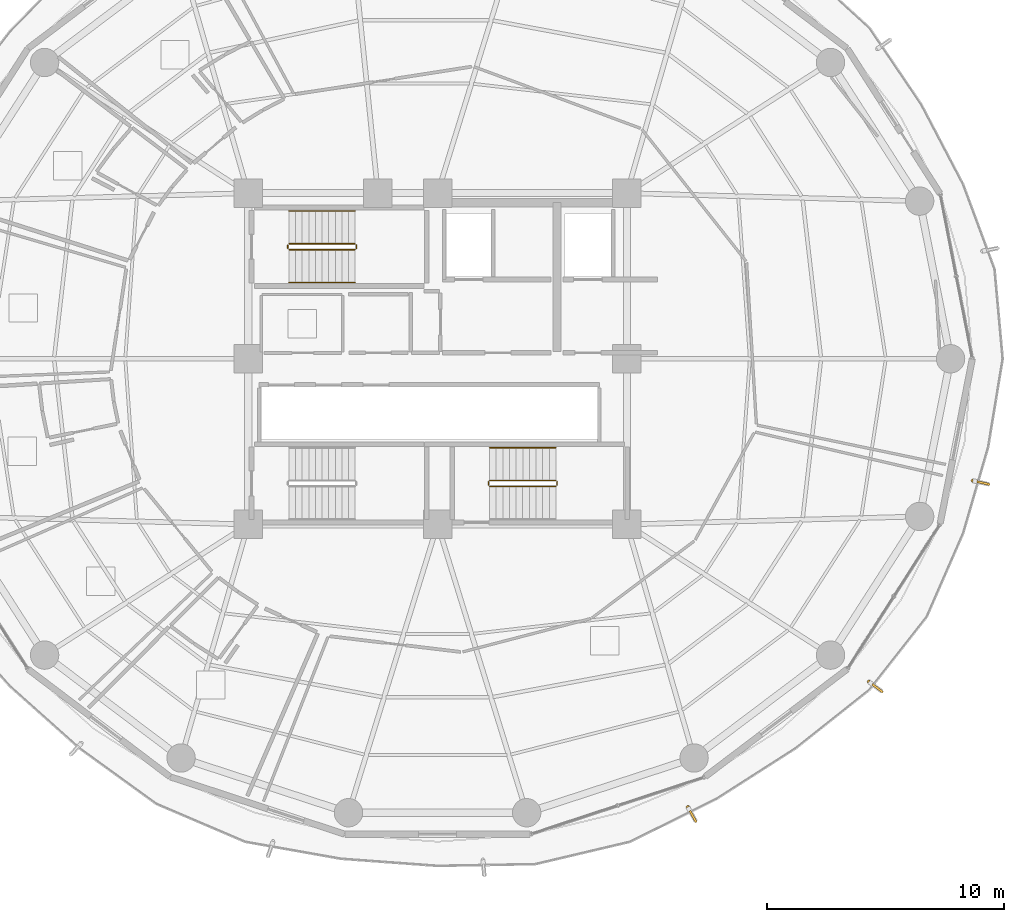
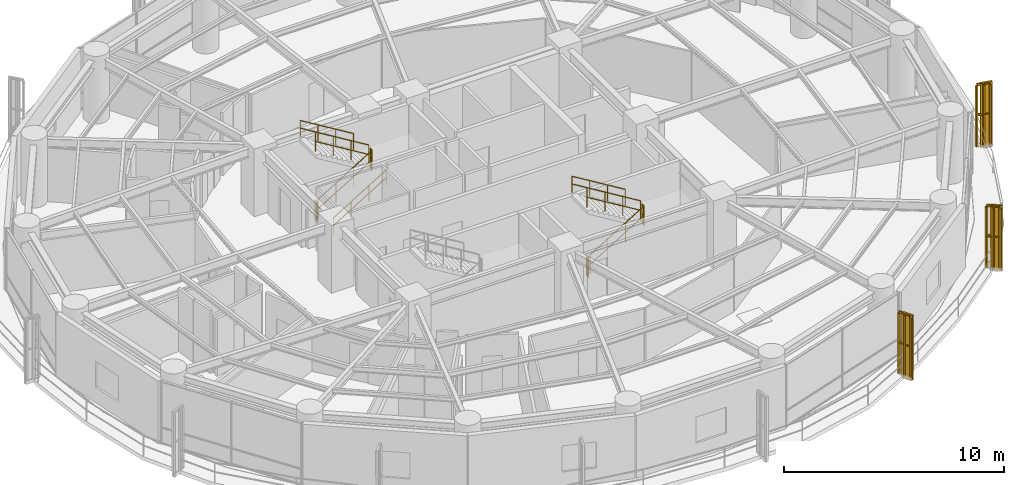
# One storey, part 26 of 27: 14 railings, 3 shading devices.
"""IFC4 building model written with IfcOpenShell, lengths in metres."""

from ifc_helpers import new_model, si_unit, direction, frame, origin, origin_2d, place, context, subcontext, project, spatial, polyline, rectangle, outline, extrude, source, transform, mapped, material, type_object, element, save


model = new_model("IFC4")

# Units and contexts
model_context = context("Model", 3, precision=1e-05, world=origin(), true_north=direction((0.0, 1.0)))
body_context = subcontext(model_context, "Body", "Model", "MODEL_VIEW")
ifc_project = project(units=[si_unit("LENGTHUNIT", "METRE"), si_unit("AREAUNIT", "SQUARE_METRE"), si_unit("VOLUMEUNIT", "CUBIC_METRE"), si_unit("PLANEANGLEUNIT", "RADIAN"), si_unit("MASSUNIT", "GRAM", prefix="KILO")], contexts=[model_context])

# Site, building, storey
site_placement = place(None, origin())
site = spatial("IfcSite", under=ifc_project, at=site_placement, CompositionType="ELEMENT")
building_placement = place(site_placement, origin())
building = spatial("IfcBuilding", under=site, at=building_placement, Name="Kelanora Arch Commons", CompositionType="ELEMENT")
storey_placement = place(building_placement, frame((0.0, 0.0, 146.85009765625)))
storey = spatial("IfcBuildingStorey", under=building, at=storey_placement, Name="L37", CompositionType="ELEMENT", Elevation=146.85009765625)

# Railings
ifc_material_1 = material(Name="Anodised bronze vertical shading fin rib assembly")
railing_type_1 = type_object("IfcRailingType", Name="RAIL-FIN-BRZ", PredefinedType="BALUSTRADE", material=ifc_material_1)
railing_1_placement = place(storey_placement, frame((84.578369140625, 39.05224609375, -0.02001953125)))
element("IfcRailing", 1, at=railing_1_placement, inside=storey, type_object=railing_type_1, Name="Sweeping Bronze Vertical Fin Blade L37-12", PredefinedType="BALUSTRADE", context=body_context, shape_type="SweptSolid", body=[
    extrude(outline(polyline([(0.06982421875, 0.0), (0.034912109375, 0.060546875), (-0.034912109375, 0.060546875), (-0.06982421875, 0.0), (-0.034912109375, -0.060546875), (0.034912109375, -0.060546875), (0.06982421875, 0.0)])), frame((0.0, 0.0, 3.419921875), z_axis=(0.487386785196, -0.873186189547, 0.0), x_axis=(0.873186189547, 0.487386785196, 0.0)), (0.0, 0.0, 1.0), 0.629638671875),
    extrude(outline(polyline([(0.06982421875, 0.0), (0.034912109375, 0.060546875), (-0.034912109375, 0.060546875), (-0.06982421875, 0.0), (-0.034912109375, -0.060546875), (0.034912109375, -0.060546875), (0.06982421875, 0.0)])), frame((0.0, 0.0, 1.7451171875), z_axis=(0.487386785196, -0.873186189547, 0.0), x_axis=(0.873186189547, 0.487386785196, 0.0)), (0.0, 0.0, 1.0), 0.629638671875),
    extrude(outline(polyline([(0.080078125, 0.0), (0.0400390625, 0.0693359375), (-0.0400390625, 0.0693359375), (-0.080078125, 0.0), (-0.0400390625, -0.0693359375), (0.0400390625, -0.0693359375), (0.080078125, 0.0)])), origin(), (0.0, 0.0, 1.0), 3.35009765625),
    extrude(outline(polyline([(0.080078125, 0.0), (0.0400390625, 0.0693359375), (-0.0400390625, 0.0693359375), (-0.080078125, 0.0), (-0.0400390625, -0.0693359375), (0.0400390625, -0.0693359375), (0.080078125, 0.0)])), frame((0.1533203125, -0.27490234375, 0.0)), (0.0, 0.0, 1.0), 3.35009765625),
    extrude(outline(polyline([(0.080078125, 0.0), (0.0400390625, 0.0693359375), (-0.0400390625, 0.0693359375), (-0.080078125, 0.0), (-0.0400390625, -0.0693359375), (0.0400390625, -0.0693359375), (0.080078125, 0.0)])), frame((0.306884765625, -0.5498046875, 0.0)), (0.0, 0.0, 1.0), 3.35009765625),
])
railing_2_placement = place(storey_placement, frame((92.22998046875, 44.349365234375, -0.02001953125)))
element("IfcRailing", 2, at=railing_2_placement, inside=storey, type_object=railing_type_1, Name="Sweeping Bronze Vertical Fin Blade L37-13", PredefinedType="BALUSTRADE", context=body_context, shape_type="SweptSolid", body=[
    extrude(outline(polyline([(0.06982421875, 0.0), (0.034912109375, 0.060546875), (-0.034912109375, 0.060546875), (-0.06982421875, 0.0), (-0.034912109375, -0.060546875), (0.034912109375, -0.060546875), (0.06982421875, 0.0)])), frame((0.0, 0.0, 3.419921875), z_axis=(0.800372112119, -0.599503529717, 0.0), x_axis=(0.599503529717, 0.800372112119, 0.0)), (0.0, 0.0, 1.0), 0.629638671875),
    extrude(outline(polyline([(0.06982421875, 0.0), (0.034912109375, 0.060546875), (-0.034912109375, 0.060546875), (-0.06982421875, 0.0), (-0.034912109375, -0.060546875), (0.034912109375, -0.060546875), (0.06982421875, 0.0)])), frame((0.0, 0.0, 1.7451171875), z_axis=(0.800372112119, -0.599503529717, 0.0), x_axis=(0.599503529717, 0.800372112119, 0.0)), (0.0, 0.0, 1.0), 0.629638671875),
    extrude(outline(polyline([(0.080078125, 0.0), (0.0400390625, 0.0693359375), (-0.0400390625, 0.0693359375), (-0.080078125, 0.0), (-0.0400390625, -0.0693359375), (0.0400390625, -0.0693359375), (0.080078125, 0.0)])), origin(), (0.0, 0.0, 1.0), 3.35009765625),
    extrude(outline(polyline([(0.080078125, 0.0), (0.0400390625, 0.0693359375), (-0.0400390625, 0.0693359375), (-0.080078125, 0.0), (-0.0400390625, -0.0693359375), (0.0400390625, -0.0693359375), (0.080078125, 0.0)])), frame((0.251953125, -0.188720703125, 0.0)), (0.0, 0.0, 1.0), 3.35009765625),
    extrude(outline(polyline([(0.080078125, 0.0), (0.0400390625, 0.0693359375), (-0.0400390625, 0.0693359375), (-0.080078125, 0.0), (-0.0400390625, -0.0693359375), (0.0400390625, -0.0693359375), (0.080078125, 0.0)])), frame((0.50390625, -0.37744140625, 0.0)), (0.0, 0.0, 1.0), 3.35009765625),
])
railing_3_placement = place(storey_placement, frame((96.623291015625, 52.849365234375, -0.02001953125)))
element("IfcRailing", 3, at=railing_3_placement, inside=storey, type_object=railing_type_1, Name="Sweeping Bronze Vertical Fin Blade L37-14", PredefinedType="BALUSTRADE", context=body_context, shape_type="SweptSolid", body=[
    extrude(outline(polyline([(0.06982421875, 0.0), (0.034912109375, 0.060546875), (-0.034912109375, 0.060546875), (-0.06982421875, 0.0), (-0.034912109375, -0.060546875), (0.034912109375, -0.060546875), (0.06982421875, 0.0)])), frame((0.0, 0.0, 3.419921875), z_axis=(0.975079487303, -0.221855794247, 0.0), x_axis=(0.221855794247, 0.975079487303, 0.0)), (0.0, 0.0, 1.0), 0.62939453125),
    extrude(outline(polyline([(0.06982421875, 0.0), (0.034912109375, 0.060546875), (-0.034912109375, 0.060546875), (-0.06982421875, 0.0), (-0.034912109375, -0.060546875), (0.034912109375, -0.060546875), (0.06982421875, 0.0)])), frame((0.0, 0.0, 1.7451171875), z_axis=(0.975079487303, -0.221855794247, 0.0), x_axis=(0.221855794247, 0.975079487303, 0.0)), (0.0, 0.0, 1.0), 0.62939453125),
    extrude(outline(polyline([(0.080078125, 0.0), (0.0400390625, 0.0693359375), (-0.0400390625, 0.0693359375), (-0.080078125, 0.0), (-0.0400390625, -0.0693359375), (0.0400390625, -0.0693359375), (0.080078125, 0.0)])), origin(), (0.0, 0.0, 1.0), 3.35009765625),
    extrude(outline(polyline([(0.080078125, 0.0), (0.0400390625, 0.0693359375), (-0.0400390625, 0.0693359375), (-0.080078125, 0.0), (-0.0400390625, -0.0693359375), (0.0400390625, -0.0693359375), (0.080078125, 0.0)])), frame((0.306884765625, -0.06982421875, 0.0)), (0.0, 0.0, 1.0), 3.35009765625),
    extrude(outline(polyline([(0.080078125, 0.0), (0.0400390625, 0.0693359375), (-0.0400390625, 0.0693359375), (-0.080078125, 0.0), (-0.0400390625, -0.0693359375), (0.0400390625, -0.0693359375), (0.080078125, 0.0)])), frame((0.61376953125, -0.1396484375, 0.0)), (0.0, 0.0, 1.0), 3.35009765625),
])
ifc_material_2 = material(Name="Painted steel stair well guard", Category="steel")
railing_type_2 = type_object("IfcRailingType", Name="RAIL-STAIR-GRD", PredefinedType="GUARDRAIL", material=ifc_material_2)
railing_4_placement = place(storey_placement, frame((67.719970703125, 62.610107421875, 0.17041015625)))
element("IfcRailing", 4, at=railing_4_placement, inside=storey, type_object=railing_type_2, Name="L37 ST-T1 stair guard 1", PredefinedType="GUARDRAIL", context=body_context, shape_type="SweptSolid", body=[
    extrude(outline(polyline([(0.02392578125, 0.0), (0.011962890625, 0.020751953125), (-0.011962890625, 0.020751953125), (-0.02392578125, 0.0), (-0.011962890625, -0.020751953125), (0.011962890625, -0.020751953125), (0.02392578125, 0.0)])), frame((0.0, 0.0, 1.076171875), z_axis=(0.854169791009, 0.0, 0.51999420009), x_axis=(0.0, 1.0, 0.0)), (0.0, 0.0, 1.0), 3.278076171875),
    extrude(outline(polyline([(0.02392578125, 0.0), (0.011962890625, 0.020751953125), (-0.011962890625, 0.020751953125), (-0.02392578125, 0.0), (-0.011962890625, -0.020751953125), (0.011962890625, -0.020751953125), (0.02392578125, 0.0)])), frame((0.0, 0.0, 0.550048828125), z_axis=(0.854169791009, 0.0, 0.51999420009), x_axis=(0.0, 1.0, 0.0)), (0.0, 0.0, 1.0), 3.278076171875),
    extrude(outline(polyline([(0.02099609375, 0.0), (0.010498046875, 0.01806640625), (-0.010498046875, 0.01806640625), (-0.02099609375, 0.0), (-0.010498046875, -0.01806640625), (0.010498046875, -0.01806640625), (0.02099609375, 0.0)])), origin(), (0.0, 0.0, 1.0), 1.052001953125),
    extrude(outline(polyline([(0.02099609375, 0.0), (0.010498046875, 0.01806640625), (-0.010498046875, 0.01806640625), (-0.02099609375, 0.0), (-0.010498046875, -0.01806640625), (0.010498046875, -0.01806640625), (0.02099609375, 0.0)])), frame((0.933349609375, 0.0, 0.568115234375)), (0.0, 0.0, 1.0), 1.052001953125),
    extrude(outline(polyline([(0.02099609375, 0.0), (0.010498046875, 0.01806640625), (-0.010498046875, 0.01806640625), (-0.02099609375, 0.0), (-0.010498046875, -0.01806640625), (0.010498046875, -0.01806640625), (0.02099609375, 0.0)])), frame((1.86669921875, 0.0, 1.136474609375)), (0.0, 0.0, 1.0), 1.052001953125),
    extrude(outline(polyline([(0.02099609375, 0.0), (0.010498046875, 0.01806640625), (-0.010498046875, 0.01806640625), (-0.02099609375, 0.0), (-0.010498046875, -0.01806640625), (0.010498046875, -0.01806640625), (0.02099609375, 0.0)])), frame((2.800048828125, 0.0, 1.70458984375)), (0.0, 0.0, 1.0), 1.052001953125),
])
railing_5_placement = place(storey_placement, frame((70.570068359375, 62.659912109375, 1.875)))
element("IfcRailing", 5, at=railing_5_placement, inside=storey, type_object=railing_type_2, Name="L37 ST-T1 stair guard 2", PredefinedType="GUARDRAIL", context=body_context, shape_type="SweptSolid", body=[
    extrude(outline(polyline([(0.02392578125, 0.0), (0.011962890625, 0.020751953125), (-0.011962890625, 0.020751953125), (-0.02392578125, 0.0), (-0.011962890625, -0.020751953125), (0.011962890625, -0.020751953125), (0.02392578125, 0.0)])), frame((0.0, 0.0, 1.076171875), z_axis=(0.0, 1.0, 0.0), x_axis=(-1.0, 0.0, 0.0)), (0.0, 0.0, 1.0), 0.150146484375),
    extrude(outline(polyline([(0.02392578125, 0.0), (0.011962890625, 0.020751953125), (-0.011962890625, 0.020751953125), (-0.02392578125, 0.0), (-0.011962890625, -0.020751953125), (0.011962890625, -0.020751953125), (0.02392578125, 0.0)])), frame((0.0, 0.0, 0.550048828125), z_axis=(0.0, 1.0, 0.0), x_axis=(-1.0, 0.0, 0.0)), (0.0, 0.0, 1.0), 0.150146484375),
    extrude(outline(polyline([(0.02099609375, 0.0), (0.010498046875, 0.01806640625), (-0.010498046875, 0.01806640625), (-0.02099609375, 0.0), (-0.010498046875, -0.01806640625), (0.010498046875, -0.01806640625), (0.02099609375, 0.0)])), origin(), (0.0, 0.0, 1.0), 1.052001953125),
    extrude(outline(polyline([(0.02099609375, 0.0), (0.010498046875, 0.01806640625), (-0.010498046875, 0.01806640625), (-0.02099609375, 0.0), (-0.010498046875, -0.01806640625), (0.010498046875, -0.01806640625), (0.02099609375, 0.0)])), frame((0.0, 0.150146484375, 0.0)), (0.0, 0.0, 1.0), 1.052001953125),
])
railing_6_placement = place(storey_placement, frame((70.52001953125, 62.860107421875, 2.04541015625)))
element("IfcRailing", 6, at=railing_6_placement, inside=storey, type_object=railing_type_2, Name="L37 ST-T1 stair guard 3", PredefinedType="GUARDRAIL", context=body_context, shape_type="SweptSolid", body=[
    extrude(outline(polyline([(0.02392578125, 0.0), (0.011962890625, 0.020751953125), (-0.011962890625, 0.020751953125), (-0.02392578125, 0.0), (-0.011962890625, -0.020751953125), (0.011962890625, -0.020751953125), (0.02392578125, 0.0)])), frame((0.0, 0.0, 1.076171875), z_axis=(-0.854169791009, 0.0, 0.51999420009), x_axis=(0.0, -1.0, 0.0)), (0.0, 0.0, 1.0), 3.278076171875),
    extrude(outline(polyline([(0.02392578125, 0.0), (0.011962890625, 0.020751953125), (-0.011962890625, 0.020751953125), (-0.02392578125, 0.0), (-0.011962890625, -0.020751953125), (0.011962890625, -0.020751953125), (0.02392578125, 0.0)])), frame((0.0, 0.0, 0.550048828125), z_axis=(-0.854169791009, 0.0, 0.51999420009), x_axis=(0.0, -1.0, 0.0)), (0.0, 0.0, 1.0), 3.278076171875),
    extrude(outline(polyline([(0.02099609375, 0.0), (0.010498046875, 0.01806640625), (-0.010498046875, 0.01806640625), (-0.02099609375, 0.0), (-0.010498046875, -0.01806640625), (0.010498046875, -0.01806640625), (0.02099609375, 0.0)])), origin(), (0.0, 0.0, 1.0), 1.052001953125),
    extrude(outline(polyline([(0.02099609375, 0.0), (0.010498046875, 0.01806640625), (-0.010498046875, 0.01806640625), (-0.02099609375, 0.0), (-0.010498046875, -0.01806640625), (0.010498046875, -0.01806640625), (0.02099609375, 0.0)])), frame((-0.933349609375, 0.0, 0.568115234375)), (0.0, 0.0, 1.0), 1.052001953125),
    extrude(outline(polyline([(0.02099609375, 0.0), (0.010498046875, 0.01806640625), (-0.010498046875, 0.01806640625), (-0.02099609375, 0.0), (-0.010498046875, -0.01806640625), (0.010498046875, -0.01806640625), (0.02099609375, 0.0)])), frame((-1.86669921875, 0.0, 1.136474609375)), (0.0, 0.0, 1.0), 1.052001953125),
    extrude(outline(polyline([(0.02099609375, 0.0), (0.010498046875, 0.01806640625), (-0.010498046875, 0.01806640625), (-0.02099609375, 0.0), (-0.010498046875, -0.01806640625), (0.010498046875, -0.01806640625), (0.02099609375, 0.0)])), frame((-2.800048828125, 0.0, 1.70458984375)), (0.0, 0.0, 1.0), 1.052001953125),
])
railing_7_placement = place(storey_placement, frame((67.669921875, 62.659912109375, 0.0)))
element("IfcRailing", 7, at=railing_7_placement, inside=storey, type_object=railing_type_2, Name="L37 ST-T1 stair guard 4", PredefinedType="GUARDRAIL", context=body_context, shape_type="SweptSolid", body=[
    extrude(outline(polyline([(0.02392578125, 0.0), (0.011962890625, 0.020751953125), (-0.011962890625, 0.020751953125), (-0.02392578125, 0.0), (-0.011962890625, -0.020751953125), (0.011962890625, -0.020751953125), (0.02392578125, 0.0)])), frame((0.0, 0.0, 1.076171875), z_axis=(0.0, 1.0, 0.0), x_axis=(-1.0, 0.0, 0.0)), (0.0, 0.0, 1.0), 0.150146484375),
    extrude(outline(polyline([(0.02392578125, 0.0), (0.011962890625, 0.020751953125), (-0.011962890625, 0.020751953125), (-0.02392578125, 0.0), (-0.011962890625, -0.020751953125), (0.011962890625, -0.020751953125), (0.02392578125, 0.0)])), frame((0.0, 0.0, 0.550048828125), z_axis=(0.0, 1.0, 0.0), x_axis=(-1.0, 0.0, 0.0)), (0.0, 0.0, 1.0), 0.150146484375),
    extrude(outline(polyline([(0.02099609375, 0.0), (0.010498046875, 0.01806640625), (-0.010498046875, 0.01806640625), (-0.02099609375, 0.0), (-0.010498046875, -0.01806640625), (0.010498046875, -0.01806640625), (0.02099609375, 0.0)])), origin(), (0.0, 0.0, 1.0), 1.052001953125),
    extrude(outline(polyline([(0.02099609375, 0.0), (0.010498046875, 0.01806640625), (-0.010498046875, 0.01806640625), (-0.02099609375, 0.0), (-0.010498046875, -0.01806640625), (0.010498046875, -0.01806640625), (0.02099609375, 0.0)])), frame((0.0, 0.150146484375, 0.0)), (0.0, 0.0, 1.0), 1.052001953125),
])
railing_8_placement = place(storey_placement, frame((76.199951171875, 52.610107421875, 0.17041015625)))
element("IfcRailing", 8, at=railing_8_placement, inside=storey, type_object=railing_type_2, Name="L37 ST-T2 stair guard 1", PredefinedType="GUARDRAIL", context=body_context, shape_type="SweptSolid", body=[
    extrude(outline(polyline([(0.02392578125, 0.0), (0.011962890625, 0.020751953125), (-0.011962890625, 0.020751953125), (-0.02392578125, 0.0), (-0.011962890625, -0.020751953125), (0.011962890625, -0.020751953125), (0.02392578125, 0.0)])), frame((0.0, 0.0, 1.076171875), z_axis=(0.854169791009, 0.0, 0.51999420009), x_axis=(0.0, 1.0, 0.0)), (0.0, 0.0, 1.0), 3.278076171875),
    extrude(outline(polyline([(0.02392578125, 0.0), (0.011962890625, 0.020751953125), (-0.011962890625, 0.020751953125), (-0.02392578125, 0.0), (-0.011962890625, -0.020751953125), (0.011962890625, -0.020751953125), (0.02392578125, 0.0)])), frame((0.0, 0.0, 0.550048828125), z_axis=(0.854169791009, 0.0, 0.51999420009), x_axis=(0.0, 1.0, 0.0)), (0.0, 0.0, 1.0), 3.278076171875),
    extrude(outline(polyline([(0.02099609375, 0.0), (0.010498046875, 0.01806640625), (-0.010498046875, 0.01806640625), (-0.02099609375, 0.0), (-0.010498046875, -0.01806640625), (0.010498046875, -0.01806640625), (0.02099609375, 0.0)])), origin(), (0.0, 0.0, 1.0), 1.052001953125),
    extrude(outline(polyline([(0.02099609375, 0.0), (0.010498046875, 0.01806640625), (-0.010498046875, 0.01806640625), (-0.02099609375, 0.0), (-0.010498046875, -0.01806640625), (0.010498046875, -0.01806640625), (0.02099609375, 0.0)])), frame((0.933349609375, 0.0, 0.568115234375)), (0.0, 0.0, 1.0), 1.052001953125),
    extrude(outline(polyline([(0.02099609375, 0.0), (0.010498046875, 0.01806640625), (-0.010498046875, 0.01806640625), (-0.02099609375, 0.0), (-0.010498046875, -0.01806640625), (0.010498046875, -0.01806640625), (0.02099609375, 0.0)])), frame((1.86669921875, 0.0, 1.136474609375)), (0.0, 0.0, 1.0), 1.052001953125),
    extrude(outline(polyline([(0.02099609375, 0.0), (0.010498046875, 0.01806640625), (-0.010498046875, 0.01806640625), (-0.02099609375, 0.0), (-0.010498046875, -0.01806640625), (0.010498046875, -0.01806640625), (0.02099609375, 0.0)])), frame((2.800048828125, 0.0, 1.70458984375)), (0.0, 0.0, 1.0), 1.052001953125),
])
railing_9_placement = place(storey_placement, frame((79.050048828125, 52.659912109375, 1.875)))
element("IfcRailing", 9, at=railing_9_placement, inside=storey, type_object=railing_type_2, Name="L37 ST-T2 stair guard 2", PredefinedType="GUARDRAIL", context=body_context, shape_type="SweptSolid", body=[
    extrude(outline(polyline([(0.02392578125, 0.0), (0.011962890625, 0.020751953125), (-0.011962890625, 0.020751953125), (-0.02392578125, 0.0), (-0.011962890625, -0.020751953125), (0.011962890625, -0.020751953125), (0.02392578125, 0.0)])), frame((0.0, 0.0, 1.076171875), z_axis=(0.0, 1.0, 0.0), x_axis=(-1.0, 0.0, 0.0)), (0.0, 0.0, 1.0), 0.150146484375),
    extrude(outline(polyline([(0.02392578125, 0.0), (0.011962890625, 0.020751953125), (-0.011962890625, 0.020751953125), (-0.02392578125, 0.0), (-0.011962890625, -0.020751953125), (0.011962890625, -0.020751953125), (0.02392578125, 0.0)])), frame((0.0, 0.0, 0.550048828125), z_axis=(0.0, 1.0, 0.0), x_axis=(-1.0, 0.0, 0.0)), (0.0, 0.0, 1.0), 0.150146484375),
    extrude(outline(polyline([(0.02099609375, 0.0), (0.010498046875, 0.01806640625), (-0.010498046875, 0.01806640625), (-0.02099609375, 0.0), (-0.010498046875, -0.01806640625), (0.010498046875, -0.01806640625), (0.02099609375, 0.0)])), origin(), (0.0, 0.0, 1.0), 1.052001953125),
    extrude(outline(polyline([(0.02099609375, 0.0), (0.010498046875, 0.01806640625), (-0.010498046875, 0.01806640625), (-0.02099609375, 0.0), (-0.010498046875, -0.01806640625), (0.010498046875, -0.01806640625), (0.02099609375, 0.0)])), frame((0.0, 0.150146484375, 0.0)), (0.0, 0.0, 1.0), 1.052001953125),
])
railing_10_placement = place(storey_placement, frame((79.0, 52.860107421875, 2.04541015625)))
element("IfcRailing", 10, at=railing_10_placement, inside=storey, type_object=railing_type_2, Name="L37 ST-T2 stair guard 3", PredefinedType="GUARDRAIL", context=body_context, shape_type="SweptSolid", body=[
    extrude(outline(polyline([(0.02392578125, 0.0), (0.011962890625, 0.020751953125), (-0.011962890625, 0.020751953125), (-0.02392578125, 0.0), (-0.011962890625, -0.020751953125), (0.011962890625, -0.020751953125), (0.02392578125, 0.0)])), frame((0.0, 0.0, 1.076171875), z_axis=(-0.854169791009, 0.0, 0.51999420009), x_axis=(0.0, -1.0, 0.0)), (0.0, 0.0, 1.0), 3.278076171875),
    extrude(outline(polyline([(0.02392578125, 0.0), (0.011962890625, 0.020751953125), (-0.011962890625, 0.020751953125), (-0.02392578125, 0.0), (-0.011962890625, -0.020751953125), (0.011962890625, -0.020751953125), (0.02392578125, 0.0)])), frame((0.0, 0.0, 0.550048828125), z_axis=(-0.854169791009, 0.0, 0.51999420009), x_axis=(0.0, -1.0, 0.0)), (0.0, 0.0, 1.0), 3.278076171875),
    extrude(outline(polyline([(0.02099609375, 0.0), (0.010498046875, 0.01806640625), (-0.010498046875, 0.01806640625), (-0.02099609375, 0.0), (-0.010498046875, -0.01806640625), (0.010498046875, -0.01806640625), (0.02099609375, 0.0)])), origin(), (0.0, 0.0, 1.0), 1.052001953125),
    extrude(outline(polyline([(0.02099609375, 0.0), (0.010498046875, 0.01806640625), (-0.010498046875, 0.01806640625), (-0.02099609375, 0.0), (-0.010498046875, -0.01806640625), (0.010498046875, -0.01806640625), (0.02099609375, 0.0)])), frame((-0.933349609375, 0.0, 0.568115234375)), (0.0, 0.0, 1.0), 1.052001953125),
    extrude(outline(polyline([(0.02099609375, 0.0), (0.010498046875, 0.01806640625), (-0.010498046875, 0.01806640625), (-0.02099609375, 0.0), (-0.010498046875, -0.01806640625), (0.010498046875, -0.01806640625), (0.02099609375, 0.0)])), frame((-1.86669921875, 0.0, 1.136474609375)), (0.0, 0.0, 1.0), 1.052001953125),
    extrude(outline(polyline([(0.02099609375, 0.0), (0.010498046875, 0.01806640625), (-0.010498046875, 0.01806640625), (-0.02099609375, 0.0), (-0.010498046875, -0.01806640625), (0.010498046875, -0.01806640625), (0.02099609375, 0.0)])), frame((-2.800048828125, 0.0, 1.70458984375)), (0.0, 0.0, 1.0), 1.052001953125),
])
railing_11_placement = place(storey_placement, frame((76.14990234375, 52.659912109375, 0.0)))
element("IfcRailing", 11, at=railing_11_placement, inside=storey, type_object=railing_type_2, Name="L37 ST-T2 stair guard 4", PredefinedType="GUARDRAIL", context=body_context, shape_type="SweptSolid", body=[
    extrude(outline(polyline([(0.02392578125, 0.0), (0.011962890625, 0.020751953125), (-0.011962890625, 0.020751953125), (-0.02392578125, 0.0), (-0.011962890625, -0.020751953125), (0.011962890625, -0.020751953125), (0.02392578125, 0.0)])), frame((0.0, 0.0, 1.076171875), z_axis=(0.0, 1.0, 0.0), x_axis=(-1.0, 0.0, 0.0)), (0.0, 0.0, 1.0), 0.150146484375),
    extrude(outline(polyline([(0.02392578125, 0.0), (0.011962890625, 0.020751953125), (-0.011962890625, 0.020751953125), (-0.02392578125, 0.0), (-0.011962890625, -0.020751953125), (0.011962890625, -0.020751953125), (0.02392578125, 0.0)])), frame((0.0, 0.0, 0.550048828125), z_axis=(0.0, 1.0, 0.0), x_axis=(-1.0, 0.0, 0.0)), (0.0, 0.0, 1.0), 0.150146484375),
    extrude(outline(polyline([(0.02099609375, 0.0), (0.010498046875, 0.01806640625), (-0.010498046875, 0.01806640625), (-0.02099609375, 0.0), (-0.010498046875, -0.01806640625), (0.010498046875, -0.01806640625), (0.02099609375, 0.0)])), origin(), (0.0, 0.0, 1.0), 1.052001953125),
    extrude(outline(polyline([(0.02099609375, 0.0), (0.010498046875, 0.01806640625), (-0.010498046875, 0.01806640625), (-0.02099609375, 0.0), (-0.010498046875, -0.01806640625), (0.010498046875, -0.01806640625), (0.02099609375, 0.0)])), frame((0.0, 0.150146484375, 0.0)), (0.0, 0.0, 1.0), 1.052001953125),
])
ifc_material_3 = material(Name="Brushed stainless steel stair handrail", Category="steel")
railing_type_3 = type_object("IfcRailingType", Name="RAIL-STAIR-HND", PredefinedType="HANDRAIL", material=ifc_material_3)
railing_12_placement = place(storey_placement, frame((67.719970703125, 61.22998046875, 0.17041015625)))
element("IfcRailing", 12, at=railing_12_placement, inside=storey, type_object=railing_type_3, Name="L37 ST-T1 stair handrail 1", PredefinedType="HANDRAIL", context=body_context, shape_type="SweptSolid", body=[
    extrude(outline(polyline([(0.02392578125, 0.0), (0.011962890625, 0.020751953125), (-0.011962890625, 0.020751953125), (-0.02392578125, 0.0), (-0.011962890625, -0.020751953125), (0.011962890625, -0.020751953125), (0.02392578125, 0.0)])), frame((0.0, 0.0, 0.8759765625), z_axis=(0.854169791009, 0.0, 0.51999420009), x_axis=(0.0, 1.0, 0.0)), (0.0, 0.0, 1.0), 3.278076171875),
    extrude(outline(polyline([(0.02392578125, 0.0), (0.011962890625, 0.020751953125), (-0.011962890625, 0.020751953125), (-0.02392578125, 0.0), (-0.011962890625, -0.020751953125), (0.011962890625, -0.020751953125), (0.02392578125, 0.0)])), frame((0.0, 0.0, 0.449951171875), z_axis=(0.854169791009, 0.0, 0.51999420009), x_axis=(0.0, 1.0, 0.0)), (0.0, 0.0, 1.0), 3.278076171875),
    extrude(outline(polyline([(0.02099609375, 0.0), (0.010498046875, 0.01806640625), (-0.010498046875, 0.01806640625), (-0.02099609375, 0.0), (-0.010498046875, -0.01806640625), (0.010498046875, -0.01806640625), (0.02099609375, 0.0)])), origin(), (0.0, 0.0, 1.0), 0.851806640625),
    extrude(outline(polyline([(0.02099609375, 0.0), (0.010498046875, 0.01806640625), (-0.010498046875, 0.01806640625), (-0.02099609375, 0.0), (-0.010498046875, -0.01806640625), (0.010498046875, -0.01806640625), (0.02099609375, 0.0)])), frame((0.933349609375, 0.0, 0.568115234375)), (0.0, 0.0, 1.0), 0.851806640625),
    extrude(outline(polyline([(0.02099609375, 0.0), (0.010498046875, 0.01806640625), (-0.010498046875, 0.01806640625), (-0.02099609375, 0.0), (-0.010498046875, -0.01806640625), (0.010498046875, -0.01806640625), (0.02099609375, 0.0)])), frame((1.86669921875, 0.0, 1.136474609375)), (0.0, 0.0, 1.0), 0.851806640625),
    extrude(outline(polyline([(0.02099609375, 0.0), (0.010498046875, 0.01806640625), (-0.010498046875, 0.01806640625), (-0.02099609375, 0.0), (-0.010498046875, -0.01806640625), (0.010498046875, -0.01806640625), (0.02099609375, 0.0)])), frame((2.800048828125, 0.0, 1.70458984375)), (0.0, 0.0, 1.0), 0.851806640625),
])
railing_13_placement = place(storey_placement, frame((70.52001953125, 64.239990234375, 2.04541015625)))
element("IfcRailing", 13, at=railing_13_placement, inside=storey, type_object=railing_type_3, Name="L37 ST-T1 stair handrail 2", PredefinedType="HANDRAIL", context=body_context, shape_type="SweptSolid", body=[
    extrude(outline(polyline([(0.02392578125, 0.0), (0.011962890625, 0.020751953125), (-0.011962890625, 0.020751953125), (-0.02392578125, 0.0), (-0.011962890625, -0.020751953125), (0.011962890625, -0.020751953125), (0.02392578125, 0.0)])), frame((0.0, 0.0, 0.8759765625), z_axis=(-0.854169791009, 0.0, 0.51999420009), x_axis=(0.0, -1.0, 0.0)), (0.0, 0.0, 1.0), 3.278076171875),
    extrude(outline(polyline([(0.02392578125, 0.0), (0.011962890625, 0.020751953125), (-0.011962890625, 0.020751953125), (-0.02392578125, 0.0), (-0.011962890625, -0.020751953125), (0.011962890625, -0.020751953125), (0.02392578125, 0.0)])), frame((0.0, 0.0, 0.449951171875), z_axis=(-0.854169791009, 0.0, 0.51999420009), x_axis=(0.0, -1.0, 0.0)), (0.0, 0.0, 1.0), 3.278076171875),
    extrude(outline(polyline([(0.02099609375, 0.0), (0.010498046875, 0.01806640625), (-0.010498046875, 0.01806640625), (-0.02099609375, 0.0), (-0.010498046875, -0.01806640625), (0.010498046875, -0.01806640625), (0.02099609375, 0.0)])), origin(), (0.0, 0.0, 1.0), 0.851806640625),
    extrude(outline(polyline([(0.02099609375, 0.0), (0.010498046875, 0.01806640625), (-0.010498046875, 0.01806640625), (-0.02099609375, 0.0), (-0.010498046875, -0.01806640625), (0.010498046875, -0.01806640625), (0.02099609375, 0.0)])), frame((-0.933349609375, 0.0, 0.568115234375)), (0.0, 0.0, 1.0), 0.851806640625),
    extrude(outline(polyline([(0.02099609375, 0.0), (0.010498046875, 0.01806640625), (-0.010498046875, 0.01806640625), (-0.02099609375, 0.0), (-0.010498046875, -0.01806640625), (0.010498046875, -0.01806640625), (0.02099609375, 0.0)])), frame((-1.86669921875, 0.0, 1.136474609375)), (0.0, 0.0, 1.0), 0.851806640625),
    extrude(outline(polyline([(0.02099609375, 0.0), (0.010498046875, 0.01806640625), (-0.010498046875, 0.01806640625), (-0.02099609375, 0.0), (-0.010498046875, -0.01806640625), (0.010498046875, -0.01806640625), (0.02099609375, 0.0)])), frame((-2.800048828125, 0.0, 1.70458984375)), (0.0, 0.0, 1.0), 0.851806640625),
])
railing_14_placement = place(storey_placement, frame((79.0, 54.239990234375, 2.04541015625)))
element("IfcRailing", 14, at=railing_14_placement, inside=storey, type_object=railing_type_3, Name="L37 ST-T2 stair handrail 2", PredefinedType="HANDRAIL", context=body_context, shape_type="SweptSolid", body=[
    extrude(outline(polyline([(0.02392578125, 0.0), (0.011962890625, 0.020751953125), (-0.011962890625, 0.020751953125), (-0.02392578125, 0.0), (-0.011962890625, -0.020751953125), (0.011962890625, -0.020751953125), (0.02392578125, 0.0)])), frame((0.0, 0.0, 0.8759765625), z_axis=(-0.854169791009, 0.0, 0.51999420009), x_axis=(0.0, -1.0, 0.0)), (0.0, 0.0, 1.0), 3.278076171875),
    extrude(outline(polyline([(0.02392578125, 0.0), (0.011962890625, 0.020751953125), (-0.011962890625, 0.020751953125), (-0.02392578125, 0.0), (-0.011962890625, -0.020751953125), (0.011962890625, -0.020751953125), (0.02392578125, 0.0)])), frame((0.0, 0.0, 0.449951171875), z_axis=(-0.854169791009, 0.0, 0.51999420009), x_axis=(0.0, -1.0, 0.0)), (0.0, 0.0, 1.0), 3.278076171875),
    extrude(outline(polyline([(0.02099609375, 0.0), (0.010498046875, 0.01806640625), (-0.010498046875, 0.01806640625), (-0.02099609375, 0.0), (-0.010498046875, -0.01806640625), (0.010498046875, -0.01806640625), (0.02099609375, 0.0)])), origin(), (0.0, 0.0, 1.0), 0.851806640625),
    extrude(outline(polyline([(0.02099609375, 0.0), (0.010498046875, 0.01806640625), (-0.010498046875, 0.01806640625), (-0.02099609375, 0.0), (-0.010498046875, -0.01806640625), (0.010498046875, -0.01806640625), (0.02099609375, 0.0)])), frame((-0.933349609375, 0.0, 0.568115234375)), (0.0, 0.0, 1.0), 0.851806640625),
    extrude(outline(polyline([(0.02099609375, 0.0), (0.010498046875, 0.01806640625), (-0.010498046875, 0.01806640625), (-0.02099609375, 0.0), (-0.010498046875, -0.01806640625), (0.010498046875, -0.01806640625), (0.02099609375, 0.0)])), frame((-1.86669921875, 0.0, 1.136474609375)), (0.0, 0.0, 1.0), 0.851806640625),
    extrude(outline(polyline([(0.02099609375, 0.0), (0.010498046875, 0.01806640625), (-0.010498046875, 0.01806640625), (-0.02099609375, 0.0), (-0.010498046875, -0.01806640625), (0.010498046875, -0.01806640625), (0.02099609375, 0.0)])), frame((-2.800048828125, 0.0, 1.70458984375)), (0.0, 0.0, 1.0), 0.851806640625),
])

# Shading devices
ifc_material_4 = material(Name="Terracotta ceramic-clad extruded aluminium fin", Category="masonry")
shading_device_type = type_object("IfcShadingDeviceType", Name="SHD-FIN-WAIST", PredefinedType="USERDEFINED", material=ifc_material_4)
shared_shape = source(origin(), body_context, "Body", "SweptSolid", [
    extrude(rectangle(XDim=0.56005859375, YDim=0.090087890625, at=origin_2d()), origin(), (0.0, 0.0, 1.0), 3.610107421875),
])
for number, where, z_axis, x_axis, name in (
    (15, (84.800048828125, 38.655029296875, -0.14013671875), (0.0, 0.0, 1.0), (0.487402531354, -0.87317740032, 0.0), "Sweeping Terracotta Fin L37-12"),
    (16, (92.593994140625, 44.076904296875, -0.14013671875), (0.0, 0.0, 1.0), (0.800417613178, -0.599442778349, 0.0), "Sweeping Terracotta Fin L37-13"),
    (17, (97.066650390625, 52.748291015625, -0.14013671875), (0.0, 0.0, 1.0), (0.975033218117, -0.222059054235, 0.0), "Sweeping Terracotta Fin L37-14"),
):
    element("IfcShadingDevice", number, at=place(storey_placement, frame(where, z_axis=z_axis, x_axis=x_axis)), inside=storey, type_object=shading_device_type, Name=name, ObjectType="FIN", PredefinedType="USERDEFINED", context=body_context, shape_type="MappedRepresentation", body=[
        mapped(shared_shape, transform((0.0, 0.0, 0.0), scale=1.0)),
    ])

save(model, "model.ifc")
